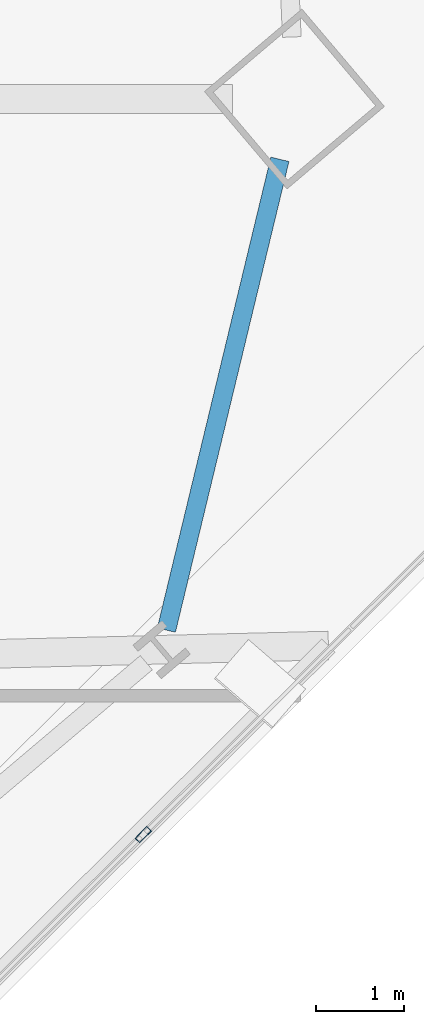
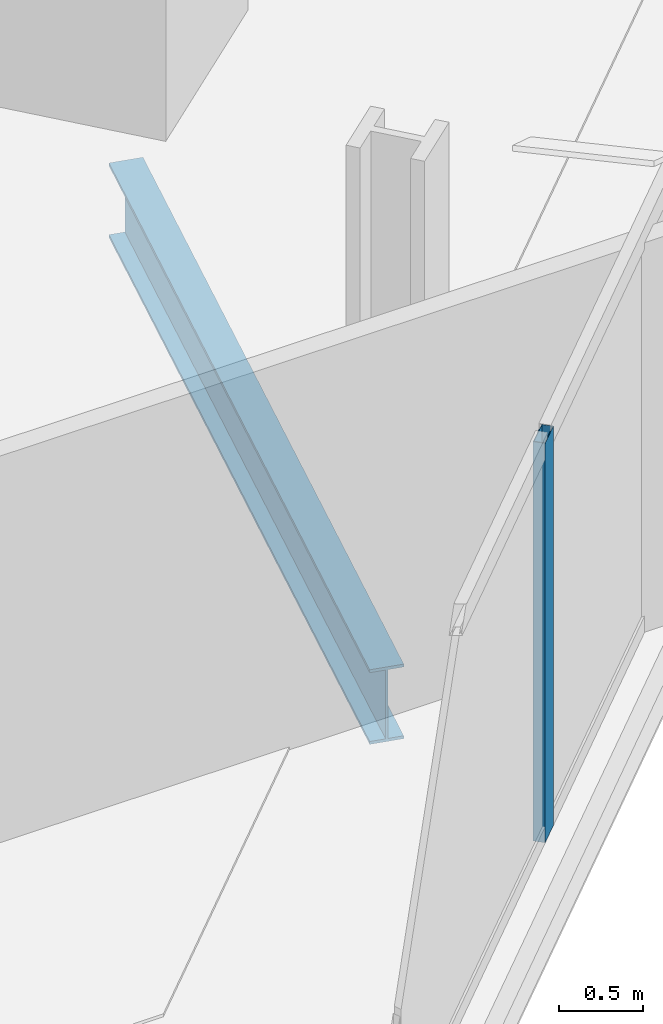
# One storey, part 10 of 32: 1 beam, 1 member, 1 element without a shape of its own.
"""IFC4 building model written with IfcOpenShell, lengths in metres."""

from ifc_helpers import new_model, si_unit, direction, frame, origin, origin_2d, place, context, subcontext, project, spatial, hollow_rectangle, i_section, extrude, material, material_profile, profile_set, type_object, element, aggregate, save


model = new_model("IFC4")

# Units and contexts
model_context = context("Model", 3, precision=1e-05, world=origin(), true_north=direction((0.0, 1.0)))
body_context = subcontext(model_context, "Body", "Model", "MODEL_VIEW")
ifc_project = project(units=[si_unit("LENGTHUNIT", "METRE"), si_unit("AREAUNIT", "SQUARE_METRE"), si_unit("VOLUMEUNIT", "CUBIC_METRE"), si_unit("PLANEANGLEUNIT", "RADIAN"), si_unit("MASSUNIT", "GRAM", prefix="KILO")], contexts=[model_context])

# Site, building, storey
site_placement = place(None, origin())
site = spatial("IfcSite", under=ifc_project, at=site_placement, CompositionType="ELEMENT")
building_placement = place(site_placement, origin())
building = spatial("IfcBuilding", under=site, at=building_placement, Name="Haldenkirk Collegiate Tower", CompositionType="ELEMENT")
storey_placement = place(building_placement, frame((0.0, 0.0, 178.199951171875)))
storey = spatial("IfcBuildingStorey", under=building, at=storey_placement, Name="L44", CompositionType="ELEMENT", Elevation=178.199951171875)

# Beam
ifc_material_1 = material(Name="Steel ASTM A992 Grade 50", Category="steel")
ifc_material_profile_1 = material_profile(ifc_material_1, i_section(OverallWidth=0.2119140625, OverallDepth=0.5439453125, WebThickness=0.01318359375, FlangeThickness=0.021240234375, at=origin_2d()), Name="W21X83")
ifc_profile_set_1 = profile_set([ifc_material_profile_1], Name="Steel ASTM A992 Grade 50")
beam_type = type_object("IfcBeamType", Name="BM-SPANDREL-W21X83", PredefinedType="SPANDREL", material=ifc_profile_set_1)
beam_placement = place(storey_placement, frame((60.010009765625, 18.595458984375, -0.56201171875), z_axis=(0.23444531808, 0.972129308698, 0.0), x_axis=(-0.972129308698, 0.23444531808, 0.0)))
element("IfcBeam", 1, at=beam_placement, inside=storey, type_object=beam_type, Name="L44 perimeter spandrel beam 04", PredefinedType="SPANDREL", context=body_context, shape_type="SweptSolid", body=[
    extrude(i_section(OverallWidth=0.2119140625, OverallDepth=0.5439453125, WebThickness=0.01318359375, FlangeThickness=0.021240234375, at=origin_2d()), origin(), (0.0, 0.0, 1.0), 5.50146484375),
])

# Curtain wall, member
ifc_material_2 = material(Name="Anodised architectural bronze aluminium", Category="aluminium")
curtain_wall_type = type_object("IfcCurtainWallType", Name="CW-SYS2-CONCAVE", PredefinedType="USERDEFINED", material=ifc_material_2)
curtain_wall_placement = place(storey_placement, origin())
curtain_wall = element("IfcCurtainWall", 2, at=curtain_wall_placement, inside=storey, type_object=curtain_wall_type, Name="L44 South concave recessed bronze-anodised curtain wall", ObjectType="UNITISED CURTAIN WALL", PredefinedType="USERDEFINED")
ifc_material_profile_2 = material_profile(ifc_material_2, hollow_rectangle(XDim=0.074951171875, YDim=0.18994140625, WallThickness=0.0048828125, at=origin_2d()), Name="CW-MUL-02")
ifc_profile_set_2 = profile_set([ifc_material_profile_2], Name="Anodised architectural bronze aluminium")
member_type = type_object("IfcMemberType", Name="CW-MUL-02", PredefinedType="MULLION", material=ifc_profile_set_2)
member_placement = place(storey_placement, frame((59.74755859375, 16.271728515625, 0.0), z_axis=(0.0, 0.0, 1.0), x_axis=(0.705254740393, -0.708953983805, 0.0)))
member = element("IfcMember", 3, at=member_placement, type_object=member_type, Name="CW-02 mullion 2", PredefinedType="MULLION", context=body_context, shape_type="SweptSolid", body=[
    extrude(hollow_rectangle(XDim=0.074951171875, YDim=0.18994140625, WallThickness=0.0048828125, at=origin_2d()), origin(), (0.0, 0.0, 1.0), 2.9111328125),
])
aggregate(curtain_wall, [member])

save(model, "model.ifc")
